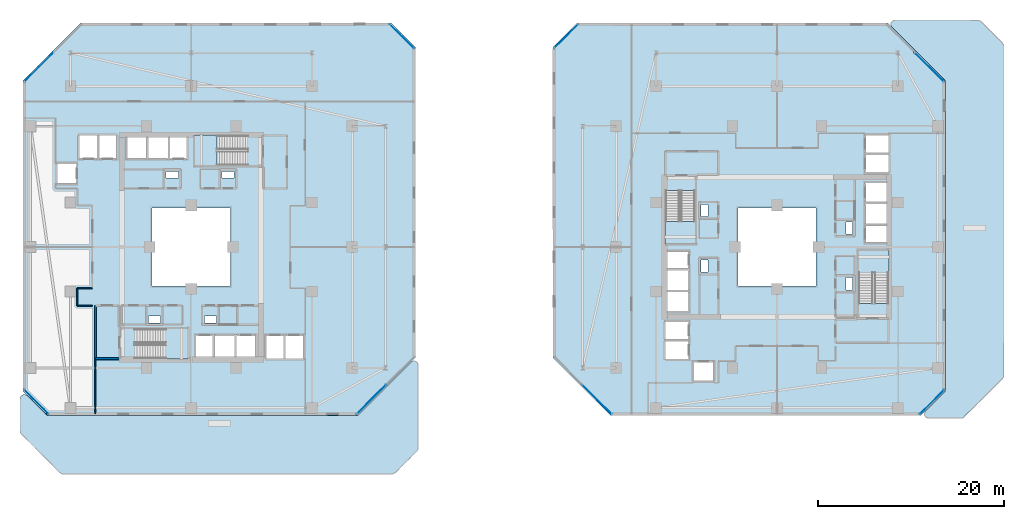
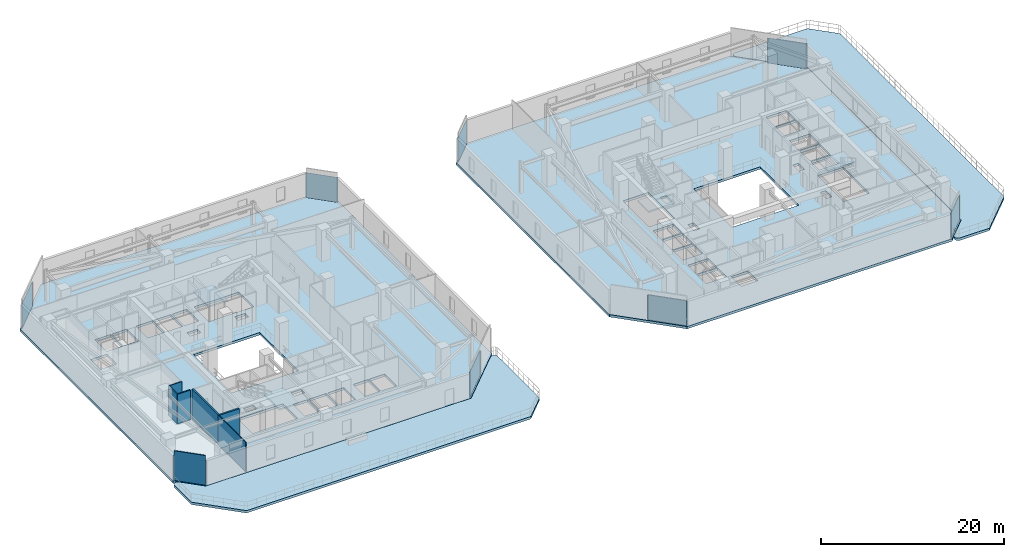
# One storey, part 15 of 30: 8 plates, 8 slabs, 7 walls, 12 elements without a shape of their own.
"""IFC4 building model written with IfcOpenShell, lengths in metres."""

from ifc_helpers import new_model, si_unit, direction, frame, frame_2d, origin, origin_2d, place, context, subcontext, project, spatial, polyline, rectangle, outline, extrude, material, layer, layer_set, type_object, element, aggregate, save


model = new_model("IFC4")

# Units and contexts
model_context = context("Model", 3, precision=1e-05, world=origin(), true_north=direction((0.0, 1.0)))
body_context = subcontext(model_context, "Body", "Model", "MODEL_VIEW")
ifc_project = project(units=[si_unit("LENGTHUNIT", "METRE"), si_unit("AREAUNIT", "SQUARE_METRE"), si_unit("VOLUMEUNIT", "CUBIC_METRE"), si_unit("PLANEANGLEUNIT", "RADIAN"), si_unit("MASSUNIT", "GRAM", prefix="KILO")], contexts=[model_context])

# Site, building, storey
site_placement = place(None, origin())
site = spatial("IfcSite", under=ifc_project, at=site_placement, CompositionType="ELEMENT")
building_placement = place(site_placement, origin())
building = spatial("IfcBuilding", under=site, at=building_placement, Name="Thornwick Lancets Civic Towers", CompositionType="ELEMENT")
storey_placement = place(building_placement, frame((0.0, 0.0, 75.89990234375)))
storey = spatial("IfcBuildingStorey", under=building, at=storey_placement, Name="L19", CompositionType="ELEMENT", Elevation=75.89990234375)

# Curtain wall, plate
ifc_material_1 = material(Name="Low-zone chamfered-corner unitised glass curtain wall", Category="glass")
curtain_wall_type = type_object("IfcCurtainWallType", Name="CW_SYS_03", PredefinedType="NOTDEFINED", material=ifc_material_1)
curtain_wall_1_placement = place(storey_placement, origin())
curtain_wall_1 = element("IfcCurtainWall", 1, at=curtain_wall_1_placement, inside=storey, type_object=curtain_wall_type, Name="L19 Curtain Wall CW-L19-A-E1", PredefinedType="NOTDEFINED")
ifc_material_2 = material(Name="Extruded buff terracotta spandrel panel", Category="masonry")
ifc_layer_1 = layer(ifc_material_2, 0.044921875, Name="Extruded buff terracotta spandrel panel")
ifc_layer_set_1 = layer_set([ifc_layer_1], Name="Extruded buff terracotta spandrel panel")
plate_type = type_object("IfcPlateType", Name="CW_PNL_TERRA", PredefinedType="CURTAIN_PANEL", material=ifc_layer_set_1)
plate_1_placement = place(storey_placement, frame((44.868408203125, 10.619384765625, 0.0), z_axis=(0.0, 0.0, 1.0), x_axis=(0.707106781187, 0.707106781187, 0.0)))
plate_1 = element("IfcPlate", 2, at=plate_1_placement, type_object=plate_type, Name="CW-L19-A-E1 Panel 0", PredefinedType="CURTAIN_PANEL", context=body_context, shape_type="SweptSolid", body=[
    extrude(rectangle(XDim=4.443115234375, YDim=0.044921875, at=origin_2d()), origin(), (0.0, 0.0, 1.0), 3.300048828125),
])
aggregate(curtain_wall_1, [plate_1])

curtain_wall_2_placement = place(storey_placement, origin())
curtain_wall_2 = element("IfcCurtainWall", 3, at=curtain_wall_2_placement, inside=storey, type_object=curtain_wall_type, Name="L19 Curtain Wall CW-L19-A-E3", PredefinedType="NOTDEFINED")
plate_2_placement = place(storey_placement, frame((48.173095703125, 49.673095703125, 0.0), z_axis=(0.0, 0.0, 1.0), x_axis=(-0.707106781187, 0.707106781187, 0.0)))
plate_2 = element("IfcPlate", 4, at=plate_2_placement, type_object=plate_type, Name="CW-L19-A-E3 Panel 0", PredefinedType="CURTAIN_PANEL", context=body_context, shape_type="SweptSolid", body=[
    extrude(rectangle(XDim=3.6494140625, YDim=0.044921875, at=origin_2d()), origin(), (0.0, 0.0, 1.0), 3.300048828125),
])
aggregate(curtain_wall_2, [plate_2])

curtain_wall_3_placement = place(storey_placement, origin())
curtain_wall_3 = element("IfcCurtainWall", 5, at=curtain_wall_3_placement, inside=storey, type_object=curtain_wall_type, Name="L19 Curtain Wall CW-L19-A-E5", PredefinedType="NOTDEFINED")
plate_3_placement = place(storey_placement, frame((9.119384765625, 46.368408203125, 0.0), z_axis=(0.0, 0.0, 1.0), x_axis=(-0.707106781187, -0.707106781187, 0.0)))
plate_3 = element("IfcPlate", 6, at=plate_3_placement, type_object=plate_type, Name="CW-L19-A-E5 Panel 0", PredefinedType="CURTAIN_PANEL", context=body_context, shape_type="SweptSolid", body=[
    extrude(rectangle(XDim=4.443115234375, YDim=0.044921875, at=origin_2d()), origin(), (0.0, 0.0, 1.0), 3.300048828125),
])
aggregate(curtain_wall_3, [plate_3])

curtain_wall_4_placement = place(storey_placement, origin())
curtain_wall_4 = element("IfcCurtainWall", 7, at=curtain_wall_4_placement, inside=storey, type_object=curtain_wall_type, Name="L19 Curtain Wall CW-L19-A-E7", PredefinedType="NOTDEFINED")
plate_4_placement = place(storey_placement, frame((8.826904296875, 10.326904296875, 0.0), z_axis=(0.0, 0.0, 1.0), x_axis=(0.707106781187, -0.707106781187, 0.0)))
plate_4 = element("IfcPlate", 8, at=plate_4_placement, type_object=plate_type, Name="CW-L19-A-E7 Panel 0", PredefinedType="CURTAIN_PANEL", context=body_context, shape_type="SweptSolid", body=[
    extrude(rectangle(XDim=3.6494140625, YDim=0.044921875, at=origin_2d()), origin(), (0.0, 0.0, 1.0), 3.300048828125),
])
aggregate(curtain_wall_4, [plate_4])

curtain_wall_5_placement = place(storey_placement, origin())
curtain_wall_5 = element("IfcCurtainWall", 9, at=curtain_wall_5_placement, inside=storey, type_object=curtain_wall_type, Name="L19 Curtain Wall CW-L19-B-E1", PredefinedType="NOTDEFINED")
plate_5_placement = place(storey_placement, frame((105.173095703125, 10.326904296875, 0.0), z_axis=(0.0, 0.0, 1.0), x_axis=(0.707106781187, 0.707106781187, 0.0)))
plate_5 = element("IfcPlate", 10, at=plate_5_placement, type_object=plate_type, Name="CW-L19-B-E1 Panel 0", PredefinedType="CURTAIN_PANEL", context=body_context, shape_type="SweptSolid", body=[
    extrude(rectangle(XDim=3.6494140625, YDim=0.044921875, at=origin_2d()), origin(), (0.0, 0.0, 1.0), 3.300048828125),
])
aggregate(curtain_wall_5, [plate_5])

curtain_wall_6_placement = place(storey_placement, origin())
curtain_wall_6 = element("IfcCurtainWall", 11, at=curtain_wall_6_placement, inside=storey, type_object=curtain_wall_type, Name="L19 Curtain Wall CW-L19-B-E3", PredefinedType="NOTDEFINED")
plate_6_placement = place(storey_placement, frame((104.880615234375, 46.368408203125, 0.0), z_axis=(0.0, 0.0, 1.0), x_axis=(-0.707106781187, 0.707106781187, 0.0)))
plate_6 = element("IfcPlate", 12, at=plate_6_placement, type_object=plate_type, Name="CW-L19-B-E3 Panel 0", PredefinedType="CURTAIN_PANEL", context=body_context, shape_type="SweptSolid", body=[
    extrude(rectangle(XDim=4.443115234375, YDim=0.044921875, at=origin_2d()), origin(), (0.0, 0.0, 1.0), 3.300048828125),
])
aggregate(curtain_wall_6, [plate_6])

curtain_wall_7_placement = place(storey_placement, origin())
curtain_wall_7 = element("IfcCurtainWall", 13, at=curtain_wall_7_placement, inside=storey, type_object=curtain_wall_type, Name="L19 Curtain Wall CW-L19-B-E5", PredefinedType="NOTDEFINED")
plate_7_placement = place(storey_placement, frame((65.826904296875, 49.673095703125, 0.0), z_axis=(0.0, 0.0, 1.0), x_axis=(-0.707106781187, -0.707106781187, 0.0)))
plate_7 = element("IfcPlate", 14, at=plate_7_placement, type_object=plate_type, Name="CW-L19-B-E5 Panel 0", PredefinedType="CURTAIN_PANEL", context=body_context, shape_type="SweptSolid", body=[
    extrude(rectangle(XDim=3.6494140625, YDim=0.044921875, at=origin_2d()), origin(), (0.0, 0.0, 1.0), 3.300048828125),
])
aggregate(curtain_wall_7, [plate_7])

curtain_wall_8_placement = place(storey_placement, origin())
curtain_wall_8 = element("IfcCurtainWall", 15, at=curtain_wall_8_placement, inside=storey, type_object=curtain_wall_type, Name="L19 Curtain Wall CW-L19-B-E7", PredefinedType="NOTDEFINED")
plate_8_placement = place(storey_placement, frame((69.131591796875, 10.619384765625, 0.0), z_axis=(0.0, 0.0, 1.0), x_axis=(0.707106781187, -0.707106781187, 0.0)))
plate_8 = element("IfcPlate", 16, at=plate_8_placement, type_object=plate_type, Name="CW-L19-B-E7 Panel 0", PredefinedType="CURTAIN_PANEL", context=body_context, shape_type="SweptSolid", body=[
    extrude(rectangle(XDim=4.443115234375, YDim=0.044921875, at=origin_2d()), origin(), (0.0, 0.0, 1.0), 3.300048828125),
])
aggregate(curtain_wall_8, [plate_8])

# Stair, slab
ifc_material_3 = material(Name="Concrete C40/50", Category="concrete")
stair_type = type_object("IfcStairType", Name="STAIR_DL_4200", PredefinedType="HALF_TURN_STAIR", material=ifc_material_3)
stair_1_placement = place(storey_placement, origin())
stair_1 = element("IfcStair", 17, at=stair_1_placement, inside=storey, type_object=stair_type, Name="L19 Tower A South Exit Stair ST-A1", PredefinedType="HALF_TURN_STAIR")
ifc_layer_2 = layer(ifc_material_3, 0.25, Name="Concrete C40/50")
ifc_layer_set_2 = layer_set([ifc_layer_2], Name="Concrete C40/50")
slab_type_1 = type_object("IfcSlabType", Name="SLAB_LANDING_200", PredefinedType="LANDING", material=ifc_layer_set_2)
slab_1_placement = place(storey_placement, frame((0.0, 0.0, 1.903076171875)))
slab_1 = element("IfcSlab", 18, at=slab_1_placement, type_object=slab_type_1, Name="ST-A1 landing 1", PredefinedType="LANDING", context=body_context, shape_type="SweptSolid", body=[
    extrude(outline(polyline([(22.72998046875, 14.93994140625), (25.14990234375, 14.93994140625), (25.14990234375, 18.260009765625), (22.72998046875, 18.260009765625), (22.72998046875, 14.93994140625)])), origin(), (0.0, 0.0, 1.0), 0.199951171875),
])
aggregate(stair_1, [slab_1])

stair_2_placement = place(storey_placement, origin())
stair_2 = element("IfcStair", 19, at=stair_2_placement, inside=storey, type_object=stair_type, Name="L19 Tower A North Exit Stair ST-A2", PredefinedType="HALF_TURN_STAIR")
slab_2_placement = place(storey_placement, frame((0.0, 0.0, 1.903076171875)))
slab_2 = element("IfcSlab", 20, at=slab_2_placement, type_object=slab_type_1, Name="ST-A2 landing 1", PredefinedType="LANDING", context=body_context, shape_type="SweptSolid", body=[
    extrude(outline(polyline([(28.27001953125, 39.06005859375), (25.85009765625, 39.06005859375), (25.85009765625, 35.739990234375), (28.27001953125, 35.739990234375), (28.27001953125, 39.06005859375)])), origin(), (0.0, 0.0, 1.0), 0.199951171875),
])
aggregate(stair_2, [slab_2])

stair_3_placement = place(storey_placement, origin())
stair_3 = element("IfcStair", 21, at=stair_3_placement, inside=storey, type_object=stair_type, Name="L19 Tower B East Exit Stair ST-B1", PredefinedType="HALF_TURN_STAIR")
slab_3_placement = place(storey_placement, frame((0.0, 0.0, 1.903076171875)))
slab_3 = element("IfcSlab", 22, at=slab_3_placement, type_object=slab_type_1, Name="ST-B1 landing 1", PredefinedType="LANDING", context=body_context, shape_type="SweptSolid", body=[
    extrude(outline(polyline([(100.56005859375, 24.22998046875), (100.56005859375, 26.64990234375), (97.239990234375, 26.64990234375), (97.239990234375, 24.22998046875), (100.56005859375, 24.22998046875)])), origin(), (0.0, 0.0, 1.0), 0.199951171875),
])
aggregate(stair_3, [slab_3])

stair_4_placement = place(storey_placement, origin())
stair_4 = element("IfcStair", 23, at=stair_4_placement, inside=storey, type_object=stair_type, Name="L19 Tower B West Exit Stair ST-B2", PredefinedType="HALF_TURN_STAIR")
slab_4_placement = place(storey_placement, frame((0.0, 0.0, 1.903076171875)))
slab_4 = element("IfcSlab", 24, at=slab_4_placement, type_object=slab_type_1, Name="ST-B2 landing 1", PredefinedType="LANDING", context=body_context, shape_type="SweptSolid", body=[
    extrude(outline(polyline([(76.43994140625, 29.77001953125), (76.43994140625, 27.35009765625), (79.760009765625, 27.35009765625), (79.760009765625, 29.77001953125), (76.43994140625, 29.77001953125)])), origin(), (0.0, 0.0, 1.0), 0.199951171875),
])
aggregate(stair_4, [slab_4])

# Slabs
ifc_material_4 = material(Name="Post-tensioned concrete C40/50", Category="concrete")
ifc_layer_3 = layer(ifc_material_4, 0.320068359375, Name="Post-tensioned concrete C40/50")
ifc_layer_set_3 = layer_set([ifc_layer_3], Name="Post-tensioned concrete C40/50")
slab_type_2 = type_object("IfcSlabType", Name="SLAB_PT_320", PredefinedType="FLOOR", material=ifc_layer_set_3)
slab_5_placement = place(storey_placement, frame((0.0, 0.0, -0.31982421875)))
element("IfcSlab", 25, at=slab_5_placement, inside=storey, type_object=slab_type_2, Name="L19 Tower A Floor Slab", PredefinedType="FLOOR", context=body_context, shape_type="SweptSolid", body=[
    extrude(outline(polyline([(10.0, 8.89990234375), (43.39990234375, 8.89990234375), (49.60009765625, 15.10009765625), (49.60009765625, 48.5), (47.0, 51.10009765625), (13.60009765625, 51.10009765625), (7.39990234375, 44.89990234375), (7.39990234375, 11.5), (10.0, 8.89990234375)]), holes=[polyline([(21.300048828125, 22.800048828125), (29.699951171875, 22.800048828125), (29.699951171875, 31.199951171875), (21.300048828125, 31.199951171875), (21.300048828125, 22.800048828125)]), polyline([(19.429931640625, 15.0), (25.10009765625, 15.0), (25.10009765625, 18.199951171875), (19.429931640625, 18.199951171875), (19.429931640625, 15.0)]), polyline([(31.570068359375, 39.0), (25.89990234375, 39.0), (25.89990234375, 35.800048828125), (31.570068359375, 35.800048828125), (31.570068359375, 39.0)]), polyline([(26.0, 15.0), (27.800048828125, 15.0), (27.800048828125, 17.550048828125), (26.0, 17.550048828125), (26.0, 15.0)]), polyline([(28.0, 15.0), (30.14990234375, 15.0), (30.14990234375, 17.550048828125), (28.0, 17.550048828125), (28.0, 15.0)]), polyline([(30.35009765625, 15.0), (32.39990234375, 15.0), (32.39990234375, 17.550048828125), (30.35009765625, 17.550048828125), (30.35009765625, 15.0)]), polyline([(33.550048828125, 15.0), (35.449951171875, 15.0), (35.449951171875, 17.550048828125), (33.550048828125, 17.550048828125), (33.550048828125, 15.0)]), polyline([(35.60009765625, 15.0), (37.550048828125, 15.0), (37.550048828125, 17.550048828125), (35.60009765625, 17.550048828125), (35.60009765625, 15.0)]), polyline([(23.199951171875, 36.449951171875), (25.0, 36.449951171875), (25.0, 39.0), (23.199951171875, 39.0), (23.199951171875, 36.449951171875)]), polyline([(20.85009765625, 36.449951171875), (23.0, 36.449951171875), (23.0, 39.0), (20.85009765625, 39.0), (20.85009765625, 36.449951171875)]), polyline([(18.60009765625, 36.449951171875), (20.699951171875, 36.449951171875), (20.699951171875, 39.0), (18.60009765625, 39.0), (18.60009765625, 36.449951171875)]), polyline([(15.550048828125, 36.449951171875), (17.449951171875, 36.449951171875), (17.449951171875, 39.0), (15.550048828125, 39.0), (15.550048828125, 36.449951171875)]), polyline([(13.449951171875, 36.449951171875), (15.39990234375, 36.449951171875), (15.39990234375, 39.0), (13.449951171875, 39.0), (13.449951171875, 36.449951171875)]), polyline([(11.10009765625, 33.85009765625), (13.199951171875, 33.85009765625), (13.199951171875, 35.949951171875), (11.10009765625, 35.949951171875), (11.10009765625, 33.85009765625)]), polyline([(26.89990234375, 18.85009765625), (28.199951171875, 18.85009765625), (28.199951171875, 19.580078125), (26.89990234375, 19.580078125), (26.89990234375, 18.85009765625)]), polyline([(20.89990234375, 18.85009765625), (22.199951171875, 18.85009765625), (22.199951171875, 19.580078125), (20.89990234375, 19.580078125), (20.89990234375, 18.85009765625)]), polyline([(22.800048828125, 34.419921875), (24.10009765625, 34.419921875), (24.10009765625, 35.14990234375), (22.800048828125, 35.14990234375), (22.800048828125, 34.419921875)]), polyline([(28.800048828125, 34.419921875), (30.10009765625, 34.419921875), (30.10009765625, 35.14990234375), (28.800048828125, 35.14990234375), (28.800048828125, 34.419921875)])]), origin(), (0.0, 0.0, 1.0), 0.31982421875),
])
slab_6_placement = place(storey_placement, frame((0.0, 0.0, -0.31982421875)))
element("IfcSlab", 26, at=slab_6_placement, inside=storey, type_object=slab_type_2, Name="L19 Tower A Cantilevered Block Sky-Garden Terrace 1", PredefinedType="FLOOR", context=body_context, shape_type="SweptSolid", body=[
    extrude(outline(polyline([(7.102294921875, 10.7294921875), (7.108642578125, 10.773193359375), (7.119384765625, 10.81591796875), (7.13427734375, 10.857421875), (7.153076171875, 10.8974609375), (7.17578125, 10.935302734375), (7.2021484375, 10.970703125), (7.231689453125, 11.00341796875), (7.264404296875, 11.033203125), (7.300048828125, 11.0595703125), (7.337890625, 11.082275390625), (7.377685546875, 11.10107421875), (7.41943359375, 11.115966796875), (7.462158203125, 11.126708984375), (7.505859375, 11.13330078125), (7.550048828125, 11.13525390625), (7.593994140625, 11.13330078125), (7.6376953125, 11.126708984375), (7.6806640625, 11.115966796875), (7.72216796875, 11.10107421875), (7.76220703125, 11.082275390625), (7.800048828125, 11.0595703125), (7.83544921875, 11.033203125), (7.8681640625, 11.00341796875), (9.98193359375, 8.889892578125), (9.98583984375, 8.885986328125), (9.9873046875, 8.884521484375), (9.989013671875, 8.88330078125), (9.990478515625, 8.88232421875), (9.9921875, 8.881591796875), (9.994140625, 8.880859375), (9.99609375, 8.88037109375), (9.998046875, 8.880126953125), (10.0, 8.8798828125), (10.006103515625, 8.8798828125), (43.39453125, 8.8798828125), (43.39990234375, 8.8798828125), (43.402099609375, 8.880126953125), (43.40380859375, 8.88037109375), (43.40576171875, 8.880859375), (43.40771484375, 8.881591796875), (43.409423828125, 8.88232421875), (43.4111328125, 8.88330078125), (43.41259765625, 8.884521484375), (43.4140625, 8.885986328125), (43.41845703125, 8.89013671875), (48.7197265625, 14.19140625), (49.1318359375, 14.603515625), (49.16455078125, 14.63330078125), (49.199951171875, 14.659423828125), (49.23779296875, 14.68212890625), (49.27783203125, 14.701171875), (49.3193359375, 14.7158203125), (49.3623046875, 14.726806640625), (49.406005859375, 14.733154296875), (49.449951171875, 14.7353515625), (49.494140625, 14.733154296875), (49.537841796875, 14.726806640625), (49.58056640625, 14.7158203125), (49.622314453125, 14.701171875), (49.662109375, 14.68212890625), (49.699951171875, 14.659423828125), (49.735595703125, 14.63330078125), (49.768310546875, 14.603515625), (49.7978515625, 14.57080078125), (49.82421875, 14.535400390625), (49.846923828125, 14.497314453125), (49.86572265625, 14.45751953125), (49.880615234375, 14.416015625), (49.891357421875, 14.373046875), (49.897705078125, 14.329345703125), (49.89990234375, 14.285400390625), (49.89990234375, 5.386474609375), (49.897705078125, 5.34228515625), (49.891357421875, 5.298583984375), (49.880615234375, 5.255859375), (49.86572265625, 5.214111328125), (49.846923828125, 5.17431640625), (49.82421875, 5.136474609375), (49.7978515625, 5.100830078125), (49.768310546875, 5.068115234375), (47.431884765625, 2.731689453125), (47.399169921875, 2.7021484375), (47.363525390625, 2.67578125), (47.32568359375, 2.653076171875), (47.285888671875, 2.63427734375), (47.244140625, 2.619384765625), (47.201416015625, 2.608642578125), (47.15771484375, 2.602294921875), (47.113525390625, 2.60009765625), (11.686279296875, 2.60009765625), (11.642333984375, 2.602294921875), (11.5986328125, 2.608642578125), (11.555908203125, 2.619384765625), (11.51416015625, 2.63427734375), (11.474365234375, 2.653076171875), (11.436279296875, 2.67578125), (11.40087890625, 2.7021484375), (11.3681640625, 2.731689453125), (7.3486328125, 6.751220703125), (7.231689453125, 6.8681640625), (7.2021484375, 6.90087890625), (7.17578125, 6.936279296875), (7.153076171875, 6.974365234375), (7.13427734375, 7.01416015625), (7.119384765625, 7.055908203125), (7.108642578125, 7.0986328125), (7.102294921875, 7.142333984375), (7.10009765625, 7.186279296875), (7.10009765625, 10.685302734375), (7.102294921875, 10.7294921875)])), origin(), (0.0, 0.0, 1.0), 0.31982421875),
])
slab_7_placement = place(storey_placement, frame((0.0, 0.0, -0.31982421875)))
element("IfcSlab", 27, at=slab_7_placement, inside=storey, type_object=slab_type_2, Name="L19 Tower B Floor Slab", PredefinedType="FLOOR", context=body_context, shape_type="SweptSolid", body=[
    extrude(outline(polyline([(70.60009765625, 8.89990234375), (104.0, 8.89990234375), (106.60009765625, 11.5), (106.60009765625, 44.89990234375), (100.39990234375, 51.10009765625), (67.0, 51.10009765625), (64.39990234375, 48.5), (64.39990234375, 15.10009765625), (70.60009765625, 8.89990234375)]), holes=[polyline([(84.300048828125, 22.800048828125), (92.699951171875, 22.800048828125), (92.699951171875, 31.199951171875), (84.300048828125, 31.199951171875), (84.300048828125, 22.800048828125)]), polyline([(100.5, 20.929931640625), (100.5, 26.60009765625), (97.300048828125, 26.60009765625), (97.300048828125, 20.929931640625), (100.5, 20.929931640625)]), polyline([(76.5, 33.070068359375), (76.5, 27.39990234375), (79.699951171875, 27.39990234375), (79.699951171875, 33.070068359375), (76.5, 33.070068359375)]), polyline([(97.949951171875, 27.5), (100.5, 27.5), (100.5, 29.300048828125), (97.949951171875, 29.300048828125), (97.949951171875, 27.5)]), polyline([(97.949951171875, 29.5), (100.5, 29.5), (100.5, 31.64990234375), (97.949951171875, 31.64990234375), (97.949951171875, 29.5)]), polyline([(97.949951171875, 31.85009765625), (100.5, 31.85009765625), (100.5, 33.89990234375), (97.949951171875, 33.89990234375), (97.949951171875, 31.85009765625)]), polyline([(97.949951171875, 35.050048828125), (100.5, 35.050048828125), (100.5, 36.949951171875), (97.949951171875, 36.949951171875), (97.949951171875, 35.050048828125)]), polyline([(97.949951171875, 37.10009765625), (100.5, 37.10009765625), (100.5, 39.050048828125), (97.949951171875, 39.050048828125), (97.949951171875, 37.10009765625)]), polyline([(76.5, 24.699951171875), (79.050048828125, 24.699951171875), (79.050048828125, 26.5), (76.5, 26.5), (76.5, 24.699951171875)]), polyline([(76.5, 22.35009765625), (79.050048828125, 22.35009765625), (79.050048828125, 24.5), (76.5, 24.5), (76.5, 22.35009765625)]), polyline([(76.5, 20.10009765625), (79.050048828125, 20.10009765625), (79.050048828125, 22.199951171875), (76.5, 22.199951171875), (76.5, 20.10009765625)]), polyline([(76.5, 17.050048828125), (79.050048828125, 17.050048828125), (79.050048828125, 18.949951171875), (76.5, 18.949951171875), (76.5, 17.050048828125)]), polyline([(76.5, 14.949951171875), (79.050048828125, 14.949951171875), (79.050048828125, 16.89990234375), (76.5, 16.89990234375), (76.5, 14.949951171875)]), polyline([(79.550048828125, 12.60009765625), (81.64990234375, 12.60009765625), (81.64990234375, 14.699951171875), (79.550048828125, 14.699951171875), (79.550048828125, 12.60009765625)]), polyline([(95.919921875, 28.39990234375), (96.64990234375, 28.39990234375), (96.64990234375, 29.699951171875), (95.919921875, 29.699951171875), (95.919921875, 28.39990234375)]), polyline([(95.919921875, 22.39990234375), (96.64990234375, 22.39990234375), (96.64990234375, 23.699951171875), (95.919921875, 23.699951171875), (95.919921875, 22.39990234375)]), polyline([(80.35009765625, 24.300048828125), (81.080078125, 24.300048828125), (81.080078125, 25.60009765625), (80.35009765625, 25.60009765625), (80.35009765625, 24.300048828125)]), polyline([(80.35009765625, 30.300048828125), (81.080078125, 30.300048828125), (81.080078125, 31.60009765625), (80.35009765625, 31.60009765625), (80.35009765625, 30.300048828125)])]), origin(), (0.0, 0.0, 1.0), 0.31982421875),
])
slab_8_placement = place(storey_placement, frame((0.0, 0.0, -0.31982421875)))
element("IfcSlab", 28, at=slab_8_placement, inside=storey, type_object=slab_type_2, Name="L19 Tower B Cantilevered Block Sky-Garden Terrace 1", PredefinedType="FLOOR", context=body_context, shape_type="SweptSolid", body=[
    extrude(outline(polyline([(100.86669921875, 50.66455078125), (100.840576171875, 50.699951171875), (100.81787109375, 50.73779296875), (100.798828125, 50.77783203125), (100.7841796875, 50.8193359375), (100.773193359375, 50.8623046875), (100.766845703125, 50.906005859375), (100.7646484375, 50.949951171875), (100.766845703125, 50.994140625), (100.773193359375, 51.037841796875), (100.7841796875, 51.08056640625), (100.798828125, 51.122314453125), (100.81787109375, 51.162109375), (100.840576171875, 51.199951171875), (100.86669921875, 51.235595703125), (100.896484375, 51.268310546875), (100.92919921875, 51.2978515625), (100.964599609375, 51.32421875), (101.002685546875, 51.346923828125), (101.04248046875, 51.36572265625), (101.083984375, 51.380615234375), (101.126953125, 51.391357421875), (101.170654296875, 51.397705078125), (101.214599609375, 51.39990234375), (110.113525390625, 51.39990234375), (110.15771484375, 51.397705078125), (110.201416015625, 51.391357421875), (110.244140625, 51.380615234375), (110.285888671875, 51.36572265625), (110.32568359375, 51.346923828125), (110.363525390625, 51.32421875), (110.399169921875, 51.2978515625), (110.431884765625, 51.268310546875), (112.768310546875, 48.931884765625), (112.7978515625, 48.899169921875), (112.82421875, 48.863525390625), (112.846923828125, 48.82568359375), (112.86572265625, 48.785888671875), (112.880615234375, 48.744140625), (112.891357421875, 48.701416015625), (112.897705078125, 48.65771484375), (112.89990234375, 48.613525390625), (112.89990234375, 13.186279296875), (112.897705078125, 13.142333984375), (112.891357421875, 13.0986328125), (112.880615234375, 13.055908203125), (112.86572265625, 13.01416015625), (112.846923828125, 12.974365234375), (112.82421875, 12.936279296875), (112.7978515625, 12.90087890625), (112.768310546875, 12.8681640625), (111.350341796875, 11.450439453125), (108.6318359375, 8.731689453125), (108.59912109375, 8.7021484375), (108.563720703125, 8.67578125), (108.525634765625, 8.653076171875), (108.48583984375, 8.63427734375), (108.444091796875, 8.619384765625), (108.4013671875, 8.608642578125), (108.357666015625, 8.602294921875), (108.313720703125, 8.60009765625), (104.814697265625, 8.60009765625), (104.7705078125, 8.602294921875), (104.726806640625, 8.608642578125), (104.68408203125, 8.619384765625), (104.642578125, 8.63427734375), (104.6025390625, 8.653076171875), (104.564697265625, 8.67578125), (104.529296875, 8.7021484375), (104.49658203125, 8.731689453125), (104.466796875, 8.764404296875), (104.4404296875, 8.800048828125), (104.417724609375, 8.837890625), (104.39892578125, 8.877685546875), (104.384033203125, 8.91943359375), (104.373291015625, 8.962158203125), (104.36669921875, 9.005859375), (104.36474609375, 9.050048828125), (104.36669921875, 9.093994140625), (104.373291015625, 9.1376953125), (104.384033203125, 9.1806640625), (104.39892578125, 9.22216796875), (104.417724609375, 9.26220703125), (104.4404296875, 9.300048828125), (104.466796875, 9.33544921875), (104.49658203125, 9.3681640625), (104.75439453125, 9.626220703125), (106.614013671875, 11.48583984375), (106.615478515625, 11.4873046875), (106.61669921875, 11.489013671875), (106.61767578125, 11.490478515625), (106.618408203125, 11.4921875), (106.619140625, 11.494140625), (106.61962890625, 11.49609375), (106.619873046875, 11.498046875), (106.6201171875, 11.5), (106.6201171875, 11.506103515625), (106.6201171875, 44.89453125), (106.6201171875, 44.89990234375), (106.619873046875, 44.902099609375), (106.61962890625, 44.90380859375), (106.619140625, 44.90576171875), (106.618408203125, 44.90771484375), (106.61767578125, 44.909423828125), (106.61669921875, 44.9111328125), (106.615478515625, 44.91259765625), (106.614013671875, 44.9140625), (100.896484375, 50.6318359375), (100.86669921875, 50.66455078125)])), origin(), (0.0, 0.0, 1.0), 0.31982421875),
])

# Walls
ifc_material_5 = material(Name="Concrete blockwork C40/50", Category="masonry")
ifc_layer_4 = layer(ifc_material_5, 0.199951171875, Name="Concrete blockwork C40/50")
ifc_layer_set_4 = layer_set([ifc_layer_4], Name="Concrete blockwork C40/50")
wall_type_1 = type_object("IfcWallType", Name="WALL_COMP_200", PredefinedType="STANDARD", material=ifc_layer_set_4)
wall_1_placement = place(storey_placement, frame((15.199951171875, 15.0, 0.0), z_axis=(0.0, 0.0, 1.0), x_axis=(1.0, 0.0, 0.0)))
element("IfcWall", 29, at=wall_1_placement, inside=storey, type_object=wall_type_1, Name="L19 Partition L19-A-FFLOB1 E1", PredefinedType="STANDARD", context=body_context, shape_type="SweptSolid", body=[
    extrude(rectangle(XDim=2.5, YDim=0.199951171875, at=frame_2d((1.25, 0.0))), origin(), (0.0, 0.0, 1.0), 3.940185546875),
])
wall_2_placement = place(storey_placement, frame((15.199951171875, 20.699951171875, 0.0), z_axis=(0.0, 0.0, 1.0), x_axis=(0.0, -1.0, 0.0)))
element("IfcWall", 30, at=wall_2_placement, inside=storey, type_object=wall_type_1, Name="L19 Partition L19-A-FFLOB1 E4", PredefinedType="STANDARD", context=body_context, shape_type="SweptSolid", body=[
    extrude(rectangle(XDim=5.699951171875, YDim=0.199951171875, at=frame_2d((2.85009765625, 0.0))), origin(), (0.0, 0.0, 1.0), 3.940185546875),
])
ifc_material_6 = material(Name="Acoustic gypsum board partition")
ifc_layer_5 = layer(ifc_material_6, 0.1201171875, Name="Acoustic gypsum board partition")
ifc_layer_set_5 = layer_set([ifc_layer_5], Name="Acoustic gypsum board partition")
wall_type_2 = type_object("IfcWallType", Name="WALL_PART_120", PredefinedType="PARTITIONING", material=ifc_layer_set_5)
wall_3_placement = place(storey_placement, frame((14.85009765625, 22.550048828125, 0.0), z_axis=(0.0, 0.0, 1.0), x_axis=(-1.0, 0.0, 0.0)))
element("IfcWall", 31, at=wall_3_placement, inside=storey, type_object=wall_type_2, Name="L19 Partition L19-A-W1 E4", PredefinedType="PARTITIONING", context=body_context, shape_type="SweptSolid", body=[
    extrude(rectangle(XDim=1.60009765625, YDim=0.1201171875, at=frame_2d((0.800048828125, 0.0))), origin(), (0.0, 0.0, 1.0), 3.940185546875),
])
wall_4_placement = place(storey_placement, frame((13.25, 22.550048828125, 0.0), z_axis=(0.0, 0.0, 1.0), x_axis=(0.0, -1.0, 0.0)))
element("IfcWall", 32, at=wall_4_placement, inside=storey, type_object=wall_type_2, Name="L19 Partition L19-A-W1 E5", PredefinedType="PARTITIONING", context=body_context, shape_type="SweptSolid", body=[
    extrude(rectangle(XDim=1.85009765625, YDim=0.1201171875, at=frame_2d((0.925048828125, 0.0))), origin(), (0.0, 0.0, 1.0), 3.940185546875),
])
wall_5_placement = place(storey_placement, frame((13.25, 20.699951171875, 0.0), z_axis=(0.0, 0.0, 1.0), x_axis=(1.0, 0.0, 0.0)))
element("IfcWall", 33, at=wall_5_placement, inside=storey, type_object=wall_type_2, Name="L19 Partition L19-A-W1 E6", PredefinedType="PARTITIONING", context=body_context, shape_type="SweptSolid", body=[
    extrude(rectangle(XDim=1.60009765625, YDim=0.1201171875, at=frame_2d((0.800048828125, 0.0))), origin(), (0.0, 0.0, 1.0), 3.940185546875),
])
wall_6_placement = place(storey_placement, frame((15.14990234375, 15.0, 0.0), z_axis=(0.0, 0.0, 1.0), x_axis=(0.0, -1.0, 0.0)))
element("IfcWall", 34, at=wall_6_placement, inside=storey, type_object=wall_type_2, Name="L19 Partition L19-A-W1 E8", PredefinedType="PARTITIONING", context=body_context, shape_type="SweptSolid", body=[
    extrude(rectangle(XDim=5.919921875, YDim=0.1201171875, at=frame_2d((2.9599609375, 0.0))), origin(), (0.0, 0.0, 1.0), 3.940185546875),
])
wall_7_placement = place(storey_placement, frame((10.07470703125, 9.080078125, 0.0), z_axis=(0.0, 0.0, 1.0), x_axis=(-0.707106781187, 0.707106781187, 0.0)))
element("IfcWall", 35, at=wall_7_placement, inside=storey, type_object=wall_type_2, Name="L19 Partition L19-A-W1 E10", PredefinedType="PARTITIONING", context=body_context, shape_type="SweptSolid", body=[
    extrude(rectangle(XDim=3.52783203125, YDim=0.1201171875, at=frame_2d((1.763916015625, 0.0))), origin(), (0.0, 0.0, 1.0), 3.940185546875),
])

save(model, "model.ifc")
